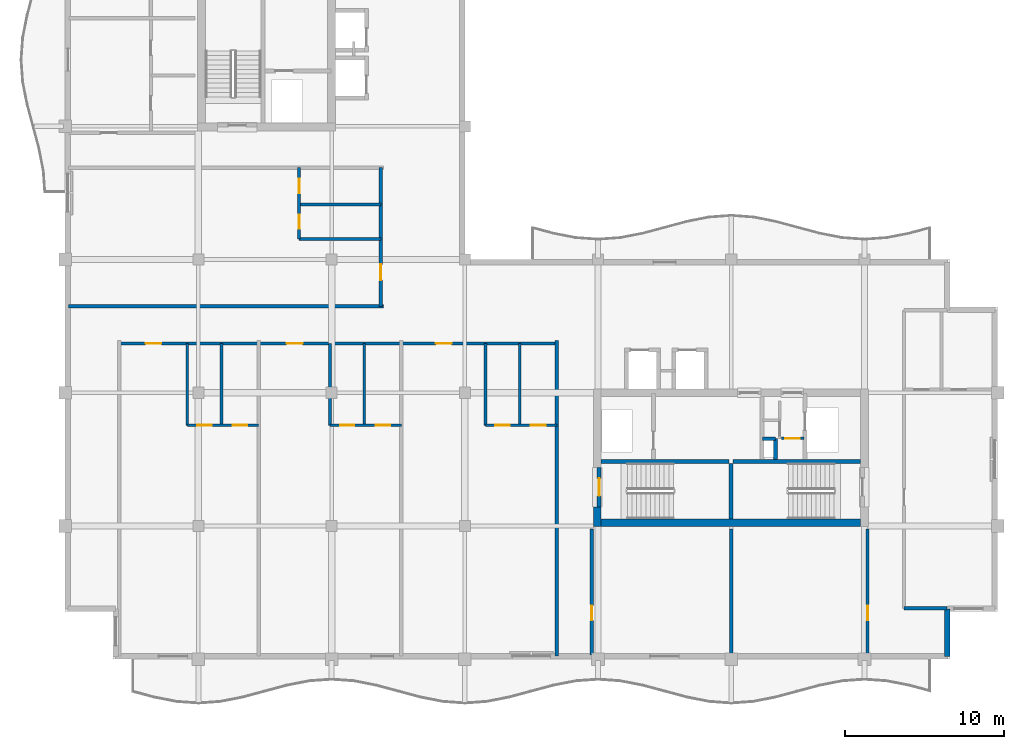
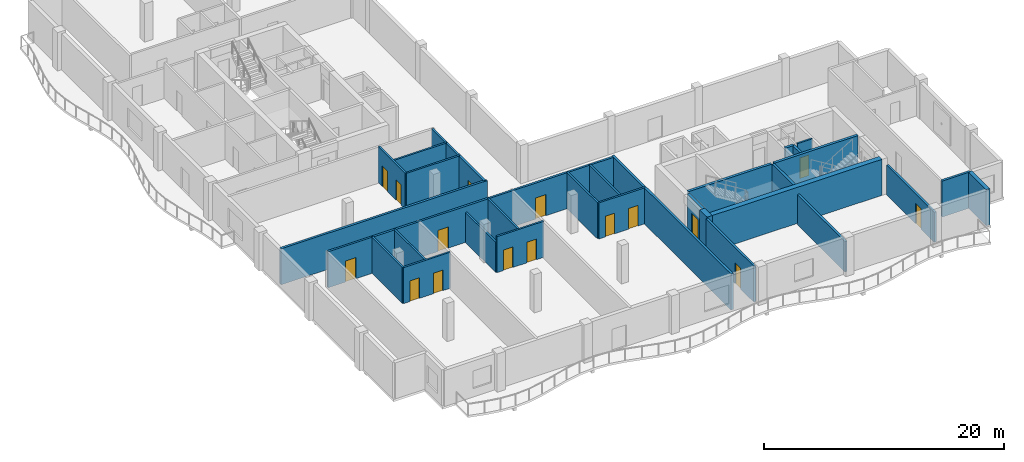
# One storey, part 6 of 15: 30 walls, 16 doors, 16 openings.
"""IFC4 building model written with IfcOpenShell, lengths in metres."""

from ifc_helpers import new_model, si_unit, direction, frame, frame_2d, origin, place, context, subcontext, project, spatial, rectangle, extrude, material, layer, layer_set, type_object, element, fill, save


model = new_model("IFC4")

# Units and contexts
model_context = context("Model", 3, precision=1e-05, world=origin(), true_north=direction((0.0, 1.0)))
body_context = subcontext(model_context, "Body", "Model", "MODEL_VIEW")
ifc_project = project(units=[si_unit("LENGTHUNIT", "METRE"), si_unit("AREAUNIT", "SQUARE_METRE"), si_unit("VOLUMEUNIT", "CUBIC_METRE"), si_unit("PLANEANGLEUNIT", "RADIAN"), si_unit("MASSUNIT", "GRAM", prefix="KILO")], contexts=[model_context])

# Site, building, storey
site_placement = place(None, origin())
site = spatial("IfcSite", under=ifc_project, at=site_placement, CompositionType="ELEMENT")
building_placement = place(site_placement, origin())
building = spatial("IfcBuilding", under=site, at=building_placement, Name="Koriwani Terraces Tower", CompositionType="ELEMENT")
storey_placement = place(building_placement, frame((0.0, 0.0, 300.800048828125)))
storey = spatial("IfcBuildingStorey", under=building, at=storey_placement, Name="L74", CompositionType="ELEMENT", Elevation=300.800048828125)

# Walls
ifc_material_1 = material(Name="Concrete C50/60", Category="concrete")
ifc_layer_1 = layer(ifc_material_1, 0.5, Name="Concrete C50/60")
ifc_layer_set_1 = layer_set([ifc_layer_1], Name="Concrete C50/60")
wall_type_1 = type_object("IfcWallType", Name="WALL_CORE_RC_500", PredefinedType="SHEAR", material=ifc_layer_set_1)
wall_1_placement = place(storey_placement, frame((41.949951171875, 16.75, 0.0), z_axis=(0.0, 0.0, 1.0), x_axis=(0.0, 1.0, 0.0)))
element("IfcWall", 1, at=wall_1_placement, inside=storey, type_object=wall_type_1, Name="L74 East Split Core Shear Wall W1", PredefinedType="SHEAR", context=body_context, shape_type="SweptSolid", body=[
    extrude(rectangle(XDim=1.25, YDim=0.5, at=frame_2d((0.625, 0.0))), origin(), (0.0, 0.0, 1.0), 3.669921875),
])
wall_2_placement = place(storey_placement, frame((42.199951171875, 17.0, 0.0), z_axis=(0.0, 0.0, 1.0), x_axis=(1.0, 0.0, 0.0)))
element("IfcWall", 2, at=wall_2_placement, inside=storey, type_object=wall_type_1, Name="L74 East Split Core Shear Wall S1", PredefinedType="SHEAR", context=body_context, shape_type="SweptSolid", body=[
    extrude(rectangle(XDim=16.35009765625, YDim=0.5, at=frame_2d((8.175048828125, 0.0))), origin(), (0.0, 0.0, 1.0), 3.669921875),
])

# Wall, opening, door
ifc_material_2 = material(Name="Autoclaved Cellular Concrete Blockwork", Category="masonry")
ifc_layer_2 = layer(ifc_material_2, 0.199951171875, Name="Autoclaved Cellular Concrete Blockwork")
ifc_layer_set_2 = layer_set([ifc_layer_2], Name="Autoclaved Cellular Concrete Blockwork")
wall_type_2 = type_object("IfcWallType", Name="WALL_CORRIDOR_200", PredefinedType="PARTITIONING", material=ifc_layer_set_2)
wall_3_placement = place(storey_placement, frame((41.60009765625, 8.64990234375, 0.0), z_axis=(0.0, 0.0, 1.0), x_axis=(0.0, 1.0, 0.0)))
wall_3 = element("IfcWall", 3, at=wall_3_placement, inside=storey, type_object=wall_type_2, Name="L74 Interior Wall WRZ4-EW-L74", PredefinedType="PARTITIONING", context=body_context, shape_type="SweptSolid", body=[
    extrude(rectangle(XDim=7.9501953125, YDim=0.199951171875, at=frame_2d((3.97509765625, 0.0))), origin(), (0.0, 0.0, 1.0), 3.669921875),
])
opening_1_placement = place(wall_3_placement, frame((2.199951171875, 0.0, 0.0)))
opening_1 = element("IfcOpeningElement", 4, at=opening_1_placement, cuts=wall_3, Name="Opening D-06", PredefinedType="OPENING", context=body_context, shape_type="SweptSolid", body=[
    extrude(rectangle(XDim=0.919921875, YDim=2.10009765625, at=frame_2d((0.4599609375, 1.050048828125))), frame((0.0, 0.10986328125, 0.0), z_axis=(0.0, -1.0, 0.0), x_axis=(1.0, 0.0, 0.0)), (0.0, 0.0, 1.0), 0.219970703125),
])
ifc_material_3 = material(Name="Architectural Oak Fire Door", Category="wood")
door_type_1 = type_object("IfcDoorType", Name="DOOR_ROOM_INT_920X2100", OperationType="NOTDEFINED", PredefinedType="DOOR", material=ifc_material_3)
door_1_placement = place(opening_1_placement, origin())
door_1 = element("IfcDoor", 5, at=door_1_placement, inside=storey, type_object=door_type_1, Name="L74 Resident Library Study Door", OperationType="SINGLE_SWING_RIGHT", OverallHeight=2.10009765625, OverallWidth=0.919921875, PredefinedType="DOOR", context=body_context, shape_type="SweptSolid", body=[
    extrude(rectangle(XDim=0.919921875, YDim=2.10009765625, at=frame_2d((0.4599609375, 1.050048828125))), frame((0.0, 0.02490234375, 0.0), z_axis=(0.0, -1.0, 0.0), x_axis=(1.0, 0.0, 0.0)), (0.0, 0.0, 1.0), 0.050048828125),
])
fill(opening_1, door_1)

wall_4_placement = place(storey_placement, frame((59.0, 8.64990234375, 0.0), z_axis=(0.0, 0.0, 1.0), x_axis=(0.0, 1.0, 0.0)))
wall_4 = element("IfcWall", 6, at=wall_4_placement, inside=storey, type_object=wall_type_2, Name="L74 Interior Wall WRZ4-EE-L74", PredefinedType="PARTITIONING", context=body_context, shape_type="SweptSolid", body=[
    extrude(rectangle(XDim=7.9501953125, YDim=0.199951171875, at=frame_2d((3.97509765625, 0.0))), origin(), (0.0, 0.0, 1.0), 3.058837890625),
])
opening_2_placement = place(wall_4_placement, frame((2.199951171875, 0.0, 0.0)))
opening_2 = element("IfcOpeningElement", 7, at=opening_2_placement, cuts=wall_4, Name="Opening D-06", PredefinedType="OPENING", context=body_context, shape_type="SweptSolid", body=[
    extrude(rectangle(XDim=0.919921875, YDim=2.10009765625, at=frame_2d((0.4599609375, 1.050048828125))), frame((0.0, 0.10986328125, 0.0), z_axis=(0.0, -1.0, 0.0), x_axis=(1.0, 0.0, 0.0)), (0.0, 0.0, 1.0), 0.219970703125),
])
door_2_placement = place(opening_2_placement, origin())
door_2 = element("IfcDoor", 8, at=door_2_placement, inside=storey, type_object=door_type_1, Name="L74 Resident Laundry Room Door", OperationType="SINGLE_SWING_LEFT", OverallHeight=2.10009765625, OverallWidth=0.919921875, PredefinedType="DOOR", context=body_context, shape_type="SweptSolid", body=[
    extrude(rectangle(XDim=0.919921875, YDim=2.10009765625, at=frame_2d((0.4599609375, 1.050048828125))), frame((0.0, 0.02490234375, 0.0), z_axis=(0.0, -1.0, 0.0), x_axis=(1.0, 0.0, 0.0)), (0.0, 0.0, 1.0), 0.050048828125),
])
fill(opening_2, door_2)

# Wall, openings, doors
wall_5_placement = place(storey_placement, frame((11.800048828125, 28.300048828125, 0.0), z_axis=(0.0, 0.0, 1.0), x_axis=(1.0, 0.0, 0.0)))
wall_5 = element("IfcWall", 9, at=wall_5_placement, inside=storey, type_object=wall_type_2, Name="L74 Interior Wall WRCOR-L74-SW-0", PredefinedType="PARTITIONING", context=body_context, shape_type="SweptSolid", body=[
    extrude(rectangle(XDim=27.599853515625, YDim=0.199951171875, at=frame_2d((13.7998046875, 0.0))), origin(), (0.0, 0.0, 1.0), 3.669921875),
])
opening_3_placement = place(wall_5_placement, frame((1.669921875, 0.0, 0.0)))
opening_3 = element("IfcOpeningElement", 10, at=opening_3_placement, cuts=wall_5, Name="Opening D-05", PredefinedType="OPENING", context=body_context, shape_type="SweptSolid", body=[
    extrude(rectangle(XDim=1.0, YDim=2.14990234375, at=frame_2d((0.5, 1.074951171875))), frame((0.0, 0.10986328125, 0.0), z_axis=(0.0, -1.0, 0.0), x_axis=(1.0, 0.0, 0.0)), (0.0, 0.0, 1.0), 0.219970703125),
])
opening_4_placement = place(wall_5_placement, frame((10.570068359375, 0.0, 0.0)))
opening_4 = element("IfcOpeningElement", 11, at=opening_4_placement, cuts=wall_5, Name="Opening D-05", PredefinedType="OPENING", context=body_context, shape_type="SweptSolid", body=[
    extrude(rectangle(XDim=1.0, YDim=2.14990234375, at=frame_2d((0.5, 1.074951171875))), frame((0.0, 0.10986328125, 0.0), z_axis=(0.0, -1.0, 0.0), x_axis=(1.0, 0.0, 0.0)), (0.0, 0.0, 1.0), 0.219970703125),
])
opening_5_placement = place(wall_5_placement, frame((19.969970703125, 0.0, 0.0)))
opening_5 = element("IfcOpeningElement", 12, at=opening_5_placement, cuts=wall_5, Name="Opening D-05", PredefinedType="OPENING", context=body_context, shape_type="SweptSolid", body=[
    extrude(rectangle(XDim=1.0, YDim=2.14990234375, at=frame_2d((0.5, 1.074951171875))), frame((0.0, 0.10986328125, 0.0), z_axis=(0.0, -1.0, 0.0), x_axis=(1.0, 0.0, 0.0)), (0.0, 0.0, 1.0), 0.219970703125),
])
door_type_2 = type_object("IfcDoorType", Name="DOOR_SUITE_ENTRY_1000X2150", OperationType="NOTDEFINED", PredefinedType="DOOR", material=ifc_material_3)
door_3_placement = place(opening_3_placement, origin())
door_3 = element("IfcDoor", 13, at=door_3_placement, inside=storey, type_object=door_type_2, Name="Apartment 74SW1 Entrance Door", OperationType="SINGLE_SWING_RIGHT", OverallHeight=2.14990234375, OverallWidth=1.0, PredefinedType="DOOR", context=body_context, shape_type="SweptSolid", body=[
    extrude(rectangle(XDim=1.0, YDim=2.14990234375, at=frame_2d((0.5, 1.074951171875))), frame((0.0, 0.02490234375, 0.0), z_axis=(0.0, -1.0, 0.0), x_axis=(1.0, 0.0, 0.0)), (0.0, 0.0, 1.0), 0.050048828125),
])
fill(opening_3, door_3)
door_4_placement = place(opening_4_placement, origin())
door_4 = element("IfcDoor", 14, at=door_4_placement, inside=storey, type_object=door_type_2, Name="Apartment 74SW2 Entrance Door", OperationType="SINGLE_SWING_LEFT", OverallHeight=2.14990234375, OverallWidth=1.0, PredefinedType="DOOR", context=body_context, shape_type="SweptSolid", body=[
    extrude(rectangle(XDim=1.0, YDim=2.14990234375, at=frame_2d((0.5, 1.074951171875))), frame((0.0, 0.02490234375, 0.0), z_axis=(0.0, -1.0, 0.0), x_axis=(1.0, 0.0, 0.0)), (0.0, 0.0, 1.0), 0.050048828125),
])
fill(opening_4, door_4)
door_5_placement = place(opening_5_placement, origin())
door_5 = element("IfcDoor", 15, at=door_5_placement, inside=storey, type_object=door_type_2, Name="Apartment 74SW3 Entrance Door", OperationType="SINGLE_SWING_RIGHT", OverallHeight=2.14990234375, OverallWidth=1.0, PredefinedType="DOOR", context=body_context, shape_type="SweptSolid", body=[
    extrude(rectangle(XDim=1.0, YDim=2.14990234375, at=frame_2d((0.5, 1.074951171875))), frame((0.0, 0.02490234375, 0.0), z_axis=(0.0, -1.0, 0.0), x_axis=(1.0, 0.0, 0.0)), (0.0, 0.0, 1.0), 0.050048828125),
])
fill(opening_5, door_5)

# Wall, opening, door
wall_6_placement = place(storey_placement, frame((28.300048828125, 30.64990234375, 0.0), z_axis=(0.0, 0.0, 1.0), x_axis=(0.0, 1.0, 0.0)))
wall_6 = element("IfcWall", 16, at=wall_6_placement, inside=storey, type_object=wall_type_2, Name="L74 Interior Wall WRCOR-L74-NE-0", PredefinedType="PARTITIONING", context=body_context, shape_type="SweptSolid", body=[
    extrude(rectangle(XDim=8.75, YDim=0.199951171875, at=frame_2d((4.375, 0.0))), origin(), (0.0, 0.0, 1.0), 3.669921875),
])
opening_6_placement = place(wall_6_placement, frame((1.64501953125, 0.0, 0.0)))
opening_6 = element("IfcOpeningElement", 17, at=opening_6_placement, cuts=wall_6, Name="Opening D-05", PredefinedType="OPENING", context=body_context, shape_type="SweptSolid", body=[
    extrude(rectangle(XDim=1.0, YDim=2.14990234375, at=frame_2d((0.5, 1.074951171875))), frame((0.0, 0.10986328125, 0.0), z_axis=(0.0, -1.0, 0.0), x_axis=(1.0, 0.0, 0.0)), (0.0, 0.0, 1.0), 0.219970703125),
])
door_6_placement = place(opening_6_placement, origin())
door_6 = element("IfcDoor", 18, at=door_6_placement, inside=storey, type_object=door_type_2, Name="Apartment 74NE1 Entrance Door", OperationType="SINGLE_SWING_LEFT", OverallHeight=2.14990234375, OverallWidth=1.0, PredefinedType="DOOR", context=body_context, shape_type="SweptSolid", body=[
    extrude(rectangle(XDim=1.0, YDim=2.14990234375, at=frame_2d((0.5, 1.074951171875))), frame((0.0, 0.02490234375, 0.0), z_axis=(0.0, -1.0, 0.0), x_axis=(1.0, 0.0, 0.0)), (0.0, 0.0, 1.0), 0.050048828125),
])
fill(opening_6, door_6)

# Walls
ifc_layer_3 = layer(ifc_material_2, 0.219970703125, Name="Autoclaved Cellular Concrete Blockwork")
ifc_layer_set_3 = layer_set([ifc_layer_3], Name="Autoclaved Cellular Concrete Blockwork")
wall_type_3 = type_object("IfcWallType", Name="WALL_DEMISING_220", PredefinedType="PARTITIONING", material=ifc_layer_set_3)
wall_7_placement = place(storey_placement, frame((50.39990234375, 8.64990234375, 0.0), z_axis=(0.0, 0.0, 1.0), x_axis=(0.0, 1.0, 0.0)))
element("IfcWall", 19, at=wall_7_placement, inside=storey, type_object=wall_type_3, Name="L74 Interior Wall WRZ4-EM-L74", PredefinedType="PARTITIONING", context=body_context, shape_type="SweptSolid", body=[
    extrude(rectangle(XDim=7.9501953125, YDim=0.219970703125, at=frame_2d((3.97509765625, 0.0))), origin(), (0.0, 0.0, 1.0), 3.070068359375),
])
for number, where, z_axis, x_axis, name in (
    (20, (39.39990234375, 8.60009765625, 0.0), (0.0, 0.0, 1.0), (0.0, 1.0, 0.0), "L74 Interior Wall WRDEME-L74-SW"),
    (21, (8.60009765625, 30.64990234375, 0.0), (0.0, 0.0, 1.0), (1.0, 0.0, 0.0), "L74 Interior Wall WRDEM-L74-NE-0"),
):
    element("IfcWall", number, at=place(storey_placement, frame(where, z_axis=z_axis, x_axis=x_axis)), inside=storey, type_object=wall_type_3, Name=name, PredefinedType="PARTITIONING", context=body_context, shape_type="SweptSolid", body=[
        extrude(rectangle(XDim=19.8798828125, YDim=0.219970703125, at=frame_2d((9.93994140625, 0.0))), origin(), (0.0, 0.0, 1.0), 3.669921875),
    ])
wall_8_placement = place(storey_placement, frame((61.300048828125, 11.60009765625, 0.0), z_axis=(0.0, 0.0, 1.0), x_axis=(1.0, 0.0, 0.0)))
element("IfcWall", 22, at=wall_8_placement, inside=storey, type_object=wall_type_3, Name="L74 Interior Wall WET-S-L74", PredefinedType="PARTITIONING", context=body_context, shape_type="SweptSolid", body=[
    extrude(rectangle(XDim=2.699951171875, YDim=0.219970703125, at=frame_2d((1.35009765625, 0.0))), origin(), (0.0, 0.0, 1.0), 3.669921875),
])
ifc_layer_4 = layer(ifc_material_1, 0.35009765625, Name="Concrete C50/60")
ifc_layer_set_4 = layer_set([ifc_layer_4], Name="Concrete C50/60")
wall_type_4 = type_object("IfcWallType", Name="WALL_EXT_BRUTALIST_350", PredefinedType="STANDARD", material=ifc_layer_set_4)
wall_9_placement = place(storey_placement, frame((64.02490234375, 11.574951171875, 0.0), z_axis=(0.0, 0.0, 1.0), x_axis=(0.0, -1.0, 0.0)))
element("IfcWall", 23, at=wall_9_placement, inside=storey, type_object=wall_type_4, Name="L74 Fair-Faced Brutalist Exterior Wall (N14)", PredefinedType="STANDARD", context=body_context, shape_type="SweptSolid", body=[
    extrude(rectangle(XDim=3.0, YDim=0.35009765625, at=frame_2d((1.5, 0.0))), origin(), (0.0, 0.0, 1.0), 3.669921875),
])

# Wall, openings, doors
ifc_material_4 = material(Name="Fire-Rated Acoustic Gypsum Partition", Category="masonry")
ifc_layer_5 = layer(ifc_material_4, 0.179931640625, Name="Fire-Rated Acoustic Gypsum Partition")
ifc_layer_set_5 = layer_set([ifc_layer_5], Name="Fire-Rated Acoustic Gypsum Partition")
wall_type_5 = type_object("IfcWallType", Name="WALL_PLUMBING_180", PredefinedType="PLUMBINGWALL", material=ifc_layer_set_5)
wall_10_placement = place(storey_placement, frame((16.10009765625, 23.14990234375, 0.0), z_axis=(0.0, 0.0, 1.0), x_axis=(1.0, 0.0, 0.0)))
wall_10 = element("IfcWall", 24, at=wall_10_placement, inside=storey, type_object=wall_type_5, Name="L74 Interior Wall WRSVC-L74-SW-0", PredefinedType="PLUMBINGWALL", context=body_context, shape_type="SweptSolid", body=[
    extrude(rectangle(XDim=4.5, YDim=0.179931640625, at=frame_2d((2.25, 0.0))), origin(), (0.0, 0.0, 1.0), 3.669921875),
])
opening_7_placement = place(wall_10_placement, frame((0.6298828125, 0.0, 0.0)))
opening_7 = element("IfcOpeningElement", 25, at=opening_7_placement, cuts=wall_10, Name="Opening D-07", PredefinedType="OPENING", context=body_context, shape_type="SweptSolid", body=[
    extrude(rectangle(XDim=0.89990234375, YDim=2.10009765625, at=frame_2d((0.449951171875, 1.050048828125))), frame((0.0, 0.10009765625, 0.0), z_axis=(0.0, -1.0, 0.0), x_axis=(1.0, 0.0, 0.0)), (0.0, 0.0, 1.0), 0.199951171875),
])
opening_8_placement = place(wall_10_placement, frame((2.8701171875, 0.0, 0.0)))
opening_8 = element("IfcOpeningElement", 26, at=opening_8_placement, cuts=wall_10, Name="Opening D-06", PredefinedType="OPENING", context=body_context, shape_type="SweptSolid", body=[
    extrude(rectangle(XDim=0.919921875, YDim=2.10009765625, at=frame_2d((0.4599609375, 1.050048828125))), frame((0.0, 0.10009765625, 0.0), z_axis=(0.0, -1.0, 0.0), x_axis=(1.0, 0.0, 0.0)), (0.0, 0.0, 1.0), 0.199951171875),
])
door_type_3 = type_object("IfcDoorType", Name="DOOR_BATH_INT_900X2100", OperationType="NOTDEFINED", PredefinedType="DOOR", material=ifc_material_3)
door_7_placement = place(opening_7_placement, origin())
door_7 = element("IfcDoor", 27, at=door_7_placement, inside=storey, type_object=door_type_3, Name="Apartment 74SW1 Bathroom Door", OperationType="SINGLE_SWING_LEFT", OverallHeight=2.10009765625, OverallWidth=0.89990234375, PredefinedType="DOOR", context=body_context, shape_type="SweptSolid", body=[
    extrude(rectangle(XDim=0.89990234375, YDim=2.10009765625, at=frame_2d((0.449951171875, 1.050048828125))), frame((0.0, 0.02490234375, 0.0), z_axis=(0.0, -1.0, 0.0), x_axis=(1.0, 0.0, 0.0)), (0.0, 0.0, 1.0), 0.050048828125),
])
fill(opening_7, door_7)
door_8_placement = place(opening_8_placement, origin())
door_8 = element("IfcDoor", 28, at=door_8_placement, inside=storey, type_object=door_type_1, Name="Apartment 74SW1 Kitchen Door", OperationType="SINGLE_SWING_RIGHT", OverallHeight=2.10009765625, OverallWidth=0.919921875, PredefinedType="DOOR", context=body_context, shape_type="SweptSolid", body=[
    extrude(rectangle(XDim=0.919921875, YDim=2.10009765625, at=frame_2d((0.4599609375, 1.050048828125))), frame((0.0, 0.02490234375, 0.0), z_axis=(0.0, -1.0, 0.0), x_axis=(1.0, 0.0, 0.0)), (0.0, 0.0, 1.0), 0.050048828125),
])
fill(opening_8, door_8)

# Walls
for number, where, z_axis, x_axis, name in (
    (29, (16.10009765625, 23.14990234375, 0.0), (0.0, 0.0, 1.0), (0.0, 1.0, 0.0), "L74 Interior Wall WRSVCS-L74-SW-0"),
    (30, (18.260009765625, 23.14990234375, 0.0), (0.0, 0.0, 1.0), (0.0, 1.0, 0.0), "L74 Interior Wall WRSVCM-L74-SW-0"),
):
    element("IfcWall", number, at=place(storey_placement, frame(where, z_axis=z_axis, x_axis=x_axis)), inside=storey, type_object=wall_type_5, Name=name, PredefinedType="PLUMBINGWALL", context=body_context, shape_type="SweptSolid", body=[
        extrude(rectangle(XDim=5.150146484375, YDim=0.179931640625, at=frame_2d((2.5751953125, 0.0))), origin(), (0.0, 0.0, 1.0), 3.669921875),
    ])

# Wall, openings, doors
wall_11_placement = place(storey_placement, frame((25.10009765625, 23.14990234375, 0.0), z_axis=(0.0, 0.0, 1.0), x_axis=(1.0, 0.0, 0.0)))
wall_11 = element("IfcWall", 31, at=wall_11_placement, inside=storey, type_object=wall_type_5, Name="L74 Interior Wall WRSVC-L74-SW-1", PredefinedType="PLUMBINGWALL", context=body_context, shape_type="SweptSolid", body=[
    extrude(rectangle(XDim=4.5, YDim=0.179931640625, at=frame_2d((2.25, 0.0))), origin(), (0.0, 0.0, 1.0), 3.669921875),
])
opening_9_placement = place(wall_11_placement, frame((0.6298828125, 0.0, 0.0)))
opening_9 = element("IfcOpeningElement", 32, at=opening_9_placement, cuts=wall_11, Name="Opening D-07", PredefinedType="OPENING", context=body_context, shape_type="SweptSolid", body=[
    extrude(rectangle(XDim=0.89990234375, YDim=2.10009765625, at=frame_2d((0.449951171875, 1.050048828125))), frame((0.0, 0.10009765625, 0.0), z_axis=(0.0, -1.0, 0.0), x_axis=(1.0, 0.0, 0.0)), (0.0, 0.0, 1.0), 0.199951171875),
])
opening_10_placement = place(wall_11_placement, frame((2.8701171875, 0.0, 0.0)))
opening_10 = element("IfcOpeningElement", 33, at=opening_10_placement, cuts=wall_11, Name="Opening D-06", PredefinedType="OPENING", context=body_context, shape_type="SweptSolid", body=[
    extrude(rectangle(XDim=0.919921875, YDim=2.10009765625, at=frame_2d((0.4599609375, 1.050048828125))), frame((0.0, 0.10009765625, 0.0), z_axis=(0.0, -1.0, 0.0), x_axis=(1.0, 0.0, 0.0)), (0.0, 0.0, 1.0), 0.199951171875),
])
door_9_placement = place(opening_9_placement, origin())
door_9 = element("IfcDoor", 34, at=door_9_placement, inside=storey, type_object=door_type_3, Name="Apartment 74SW2 Bathroom Door", OperationType="SINGLE_SWING_RIGHT", OverallHeight=2.10009765625, OverallWidth=0.89990234375, PredefinedType="DOOR", context=body_context, shape_type="SweptSolid", body=[
    extrude(rectangle(XDim=0.89990234375, YDim=2.10009765625, at=frame_2d((0.449951171875, 1.050048828125))), frame((0.0, 0.02490234375, 0.0), z_axis=(0.0, -1.0, 0.0), x_axis=(1.0, 0.0, 0.0)), (0.0, 0.0, 1.0), 0.050048828125),
])
fill(opening_9, door_9)
door_10_placement = place(opening_10_placement, origin())
door_10 = element("IfcDoor", 35, at=door_10_placement, inside=storey, type_object=door_type_1, Name="Apartment 74SW2 Kitchen Door", OperationType="SINGLE_SWING_LEFT", OverallHeight=2.10009765625, OverallWidth=0.919921875, PredefinedType="DOOR", context=body_context, shape_type="SweptSolid", body=[
    extrude(rectangle(XDim=0.919921875, YDim=2.10009765625, at=frame_2d((0.4599609375, 1.050048828125))), frame((0.0, 0.02490234375, 0.0), z_axis=(0.0, -1.0, 0.0), x_axis=(1.0, 0.0, 0.0)), (0.0, 0.0, 1.0), 0.050048828125),
])
fill(opening_10, door_10)

# Walls
wall_12_placement = place(storey_placement, frame((25.10009765625, 23.14990234375, 0.0), z_axis=(0.0, 0.0, 1.0), x_axis=(0.0, 1.0, 0.0)))
element("IfcWall", 36, at=wall_12_placement, inside=storey, type_object=wall_type_5, Name="L74 Interior Wall WRSVCS-L74-SW-1", PredefinedType="PLUMBINGWALL", context=body_context, shape_type="SweptSolid", body=[
    extrude(rectangle(XDim=5.150146484375, YDim=0.179931640625, at=frame_2d((2.5751953125, 0.0))), origin(), (0.0, 0.0, 1.0), 3.058837890625),
])
wall_13_placement = place(storey_placement, frame((27.260009765625, 23.14990234375, 0.0), z_axis=(0.0, 0.0, 1.0), x_axis=(0.0, 1.0, 0.0)))
element("IfcWall", 37, at=wall_13_placement, inside=storey, type_object=wall_type_5, Name="L74 Interior Wall WRSVCM-L74-SW-1", PredefinedType="PLUMBINGWALL", context=body_context, shape_type="SweptSolid", body=[
    extrude(rectangle(XDim=5.150146484375, YDim=0.179931640625, at=frame_2d((2.5751953125, 0.0))), origin(), (0.0, 0.0, 1.0), 3.669921875),
])

# Wall, openings, doors
wall_14_placement = place(storey_placement, frame((34.89990234375, 23.14990234375, 0.0), z_axis=(0.0, 0.0, 1.0), x_axis=(1.0, 0.0, 0.0)))
wall_14 = element("IfcWall", 38, at=wall_14_placement, inside=storey, type_object=wall_type_5, Name="L74 Interior Wall WRSVC-L74-SW-2", PredefinedType="PLUMBINGWALL", context=body_context, shape_type="SweptSolid", body=[
    extrude(rectangle(XDim=4.5, YDim=0.179931640625, at=frame_2d((2.25, 0.0))), origin(), (0.0, 0.0, 1.0), 3.669921875),
])
opening_11_placement = place(wall_14_placement, frame((0.6298828125, 0.0, 0.0)))
opening_11 = element("IfcOpeningElement", 39, at=opening_11_placement, cuts=wall_14, Name="Opening D-07", PredefinedType="OPENING", context=body_context, shape_type="SweptSolid", body=[
    extrude(rectangle(XDim=0.89990234375, YDim=2.10009765625, at=frame_2d((0.449951171875, 1.050048828125))), frame((0.0, 0.10009765625, 0.0), z_axis=(0.0, -1.0, 0.0), x_axis=(1.0, 0.0, 0.0)), (0.0, 0.0, 1.0), 0.199951171875),
])
opening_12_placement = place(wall_14_placement, frame((2.8701171875, 0.0, 0.0)))
opening_12 = element("IfcOpeningElement", 40, at=opening_12_placement, cuts=wall_14, Name="Opening D-06", PredefinedType="OPENING", context=body_context, shape_type="SweptSolid", body=[
    extrude(rectangle(XDim=0.919921875, YDim=2.10009765625, at=frame_2d((0.4599609375, 1.050048828125))), frame((0.0, 0.10009765625, 0.0), z_axis=(0.0, -1.0, 0.0), x_axis=(1.0, 0.0, 0.0)), (0.0, 0.0, 1.0), 0.199951171875),
])
door_11_placement = place(opening_11_placement, origin())
door_11 = element("IfcDoor", 41, at=door_11_placement, inside=storey, type_object=door_type_3, Name="Apartment 74SW3 Bathroom Door", OperationType="SINGLE_SWING_LEFT", OverallHeight=2.10009765625, OverallWidth=0.89990234375, PredefinedType="DOOR", context=body_context, shape_type="SweptSolid", body=[
    extrude(rectangle(XDim=0.89990234375, YDim=2.10009765625, at=frame_2d((0.449951171875, 1.050048828125))), frame((0.0, 0.02490234375, 0.0), z_axis=(0.0, -1.0, 0.0), x_axis=(1.0, 0.0, 0.0)), (0.0, 0.0, 1.0), 0.050048828125),
])
fill(opening_11, door_11)
door_12_placement = place(opening_12_placement, origin())
door_12 = element("IfcDoor", 42, at=door_12_placement, inside=storey, type_object=door_type_1, Name="Apartment 74SW3 Kitchen Door", OperationType="SINGLE_SWING_RIGHT", OverallHeight=2.10009765625, OverallWidth=0.919921875, PredefinedType="DOOR", context=body_context, shape_type="SweptSolid", body=[
    extrude(rectangle(XDim=0.919921875, YDim=2.10009765625, at=frame_2d((0.4599609375, 1.050048828125))), frame((0.0, 0.02490234375, 0.0), z_axis=(0.0, -1.0, 0.0), x_axis=(1.0, 0.0, 0.0)), (0.0, 0.0, 1.0), 0.050048828125),
])
fill(opening_12, door_12)

# Walls
for number, where, z_axis, x_axis, name in (
    (43, (34.89990234375, 23.14990234375, 0.0), (0.0, 0.0, 1.0), (0.0, 1.0, 0.0), "L74 Interior Wall WRSVCS-L74-SW-2"),
    (44, (37.06005859375, 23.14990234375, 0.0), (0.0, 0.0, 1.0), (0.0, 1.0, 0.0), "L74 Interior Wall WRSVCM-L74-SW-2"),
):
    element("IfcWall", number, at=place(storey_placement, frame(where, z_axis=z_axis, x_axis=x_axis)), inside=storey, type_object=wall_type_5, Name=name, PredefinedType="PLUMBINGWALL", context=body_context, shape_type="SweptSolid", body=[
        extrude(rectangle(XDim=5.150146484375, YDim=0.179931640625, at=frame_2d((2.5751953125, 0.0))), origin(), (0.0, 0.0, 1.0), 3.669921875),
    ])

# Wall, openings, doors
wall_15_placement = place(storey_placement, frame((23.14990234375, 34.89990234375, 0.0), z_axis=(0.0, 0.0, 1.0), x_axis=(0.0, 1.0, 0.0)))
wall_15 = element("IfcWall", 45, at=wall_15_placement, inside=storey, type_object=wall_type_5, Name="L74 Interior Wall WRSVC-L74-NE-0", PredefinedType="PLUMBINGWALL", context=body_context, shape_type="SweptSolid", body=[
    extrude(rectangle(XDim=4.5, YDim=0.179931640625, at=frame_2d((2.25, 0.0))), origin(), (0.0, 0.0, 1.0), 3.669921875),
])
opening_13_placement = place(wall_15_placement, frame((0.6298828125, 0.0, 0.0)))
opening_13 = element("IfcOpeningElement", 46, at=opening_13_placement, cuts=wall_15, Name="Opening D-07", PredefinedType="OPENING", context=body_context, shape_type="SweptSolid", body=[
    extrude(rectangle(XDim=0.89990234375, YDim=2.10009765625, at=frame_2d((0.449951171875, 1.050048828125))), frame((0.0, 0.10009765625, 0.0), z_axis=(0.0, -1.0, 0.0), x_axis=(1.0, 0.0, 0.0)), (0.0, 0.0, 1.0), 0.199951171875),
])
opening_14_placement = place(wall_15_placement, frame((2.8701171875, 0.0, 0.0)))
opening_14 = element("IfcOpeningElement", 47, at=opening_14_placement, cuts=wall_15, Name="Opening D-06", PredefinedType="OPENING", context=body_context, shape_type="SweptSolid", body=[
    extrude(rectangle(XDim=0.919921875, YDim=2.10009765625, at=frame_2d((0.4599609375, 1.050048828125))), frame((0.0, 0.10009765625, 0.0), z_axis=(0.0, -1.0, 0.0), x_axis=(1.0, 0.0, 0.0)), (0.0, 0.0, 1.0), 0.199951171875),
])
door_13_placement = place(opening_13_placement, origin())
door_13 = element("IfcDoor", 48, at=door_13_placement, inside=storey, type_object=door_type_3, Name="Apartment 74NE1 Bathroom Door", OperationType="SINGLE_SWING_RIGHT", OverallHeight=2.10009765625, OverallWidth=0.89990234375, PredefinedType="DOOR", context=body_context, shape_type="SweptSolid", body=[
    extrude(rectangle(XDim=0.89990234375, YDim=2.10009765625, at=frame_2d((0.449951171875, 1.050048828125))), frame((0.0, 0.02490234375, 0.0), z_axis=(0.0, -1.0, 0.0), x_axis=(1.0, 0.0, 0.0)), (0.0, 0.0, 1.0), 0.050048828125),
])
fill(opening_13, door_13)
door_14_placement = place(opening_14_placement, origin())
door_14 = element("IfcDoor", 49, at=door_14_placement, inside=storey, type_object=door_type_1, Name="Apartment 74NE1 Kitchen Door", OperationType="SINGLE_SWING_LEFT", OverallHeight=2.10009765625, OverallWidth=0.919921875, PredefinedType="DOOR", context=body_context, shape_type="SweptSolid", body=[
    extrude(rectangle(XDim=0.919921875, YDim=2.10009765625, at=frame_2d((0.4599609375, 1.050048828125))), frame((0.0, 0.02490234375, 0.0), z_axis=(0.0, -1.0, 0.0), x_axis=(1.0, 0.0, 0.0)), (0.0, 0.0, 1.0), 0.050048828125),
])
fill(opening_14, door_14)

# Walls
for number, where, z_axis, x_axis, name in (
    (50, (23.14990234375, 34.89990234375, 0.0), (0.0, 0.0, 1.0), (1.0, 0.0, 0.0), "L74 Interior Wall WRSVCS-L74-NE-0"),
    (51, (23.14990234375, 37.06005859375, 0.0), (0.0, 0.0, 1.0), (1.0, 0.0, 0.0), "L74 Interior Wall WRSVCM-L74-NE-0"),
):
    element("IfcWall", number, at=place(storey_placement, frame(where, z_axis=z_axis, x_axis=x_axis)), inside=storey, type_object=wall_type_5, Name=name, PredefinedType="PLUMBINGWALL", context=body_context, shape_type="SweptSolid", body=[
        extrude(rectangle(XDim=5.150146484375, YDim=0.179931640625, at=frame_2d((2.5751953125, 0.0))), origin(), (0.0, 0.0, 1.0), 3.669921875),
    ])
ifc_material_5 = material(Name="Concrete C40/50", Category="concrete")
ifc_layer_6 = layer(ifc_material_5, 0.25, Name="Concrete C40/50")
ifc_layer_set_6 = layer_set([ifc_layer_6], Name="Concrete C40/50")
wall_type_6 = type_object("IfcWallType", Name="WALL_SHAFT_RATED_250", PredefinedType="SOLIDWALL", material=ifc_layer_set_6)
for number, where, z_axis, x_axis, name in (
    (52, (42.199951171875, 20.875, 0.0), (0.0, 0.0, 1.0), (1.0, 0.0, 0.0), "L74 East Split Core Web Wall MID1"),
    (53, (50.5, 20.875, 0.0), (0.0, 0.0, 1.0), (1.0, 0.0, 0.0), "L74 East Split Core Web Wall MID2"),
):
    element("IfcWall", number, at=place(storey_placement, frame(where, z_axis=z_axis, x_axis=x_axis)), inside=storey, type_object=wall_type_6, Name=name, PredefinedType="SOLIDWALL", context=body_context, shape_type="SweptSolid", body=[
        extrude(rectangle(XDim=8.050048828125, YDim=0.25, at=frame_2d((4.02490234375, 0.0))), origin(), (0.0, 0.0, 1.0), 3.669921875),
    ])
wall_16_placement = place(storey_placement, frame((50.375, 17.25, 0.0), z_axis=(0.0, 0.0, 1.0), x_axis=(0.0, 1.0, 0.0)))
element("IfcWall", 54, at=wall_16_placement, inside=storey, type_object=wall_type_6, Name="L74 East Split Core Stair Dividing Wall", PredefinedType="SOLIDWALL", context=body_context, shape_type="SweptSolid", body=[
    extrude(rectangle(XDim=3.5, YDim=0.25, at=frame_2d((1.75, 0.0))), origin(), (0.0, 0.0, 1.0), 3.669921875),
])

# Wall, opening, door
wall_17_placement = place(storey_placement, frame((42.074951171875, 18.0, 0.0), z_axis=(0.0, 0.0, 1.0), x_axis=(0.0, 1.0, 0.0)))
wall_17 = element("IfcWall", 55, at=wall_17_placement, inside=storey, type_object=wall_type_6, Name="L74 Interior Wall WIN-CE-L74-STW", PredefinedType="SOLIDWALL", context=body_context, shape_type="SweptSolid", body=[
    extrude(rectangle(XDim=2.5, YDim=0.25, at=frame_2d((1.25, 0.0))), origin(), (0.0, 0.0, 1.0), 3.669921875),
])
opening_15_placement = place(wall_17_placement, frame((0.699951171875, 0.0, 0.0)))
opening_15 = element("IfcOpeningElement", 56, at=opening_15_placement, cuts=wall_17, Name="Opening D-03", PredefinedType="OPENING", context=body_context, shape_type="SweptSolid", body=[
    extrude(rectangle(XDim=1.10009765625, YDim=2.14990234375, at=frame_2d((0.550048828125, 1.074951171875))), frame((0.0, 0.135009765625, 0.0), z_axis=(0.0, -1.0, 0.0), x_axis=(1.0, 0.0, 0.0)), (0.0, 0.0, 1.0), 0.27001953125),
])
ifc_material_6 = material(Name="Steel ASTM A572 Grade 50", Category="steel")
door_type_4 = type_object("IfcDoorType", Name="DOOR_STAIR_FIRE_1100X2150", OperationType="NOTDEFINED", PredefinedType="DOOR", material=ifc_material_6)
door_15_placement = place(opening_15_placement, origin())
door_15 = element("IfcDoor", 57, at=door_15_placement, inside=storey, type_object=door_type_4, Name="L74 Exit Stair ST-E1 Door", OperationType="SINGLE_SWING_LEFT", OverallHeight=2.14990234375, OverallWidth=1.10009765625, PredefinedType="DOOR", context=body_context, shape_type="SweptSolid", body=[
    extrude(rectangle(XDim=1.10009765625, YDim=2.14990234375, at=frame_2d((0.550048828125, 1.074951171875))), frame((0.0, 0.02490234375, 0.0), z_axis=(0.0, -1.0, 0.0), x_axis=(1.0, 0.0, 0.0)), (0.0, 0.0, 1.0), 0.050048828125),
])
fill(opening_15, door_15)

# Walls
wall_18_placement = place(storey_placement, frame((53.199951171875, 21.0, 0.0), z_axis=(0.0, 0.0, 1.0), x_axis=(0.0, 1.0, 0.0)))
element("IfcWall", 58, at=wall_18_placement, inside=storey, type_object=wall_type_6, Name="L74 Interior Wall WIN-CE-L74-RS1", PredefinedType="SOLIDWALL", context=body_context, shape_type="SweptSolid", body=[
    extrude(rectangle(XDim=1.300048828125, YDim=0.25, at=frame_2d((0.64990234375, 0.0))), origin(), (0.0, 0.0, 1.0), 3.669921875),
])
wall_19_placement = place(storey_placement, frame((52.360107421875, 22.300048828125, 0.0), z_axis=(0.0, 0.0, 1.0), x_axis=(1.0, 0.0, 0.0)))
element("IfcWall", 59, at=wall_19_placement, inside=storey, type_object=wall_type_6, Name="L74 Interior Wall WIN-CE-L74-RS2", PredefinedType="SOLIDWALL", context=body_context, shape_type="SweptSolid", body=[
    extrude(rectangle(XDim=0.83984375, YDim=0.25, at=frame_2d((0.419921875, 0.0))), origin(), (0.0, 0.0, 1.0), 3.669921875),
])

# Wall, opening, door
ifc_layer_7 = layer(ifc_material_4, 0.159912109375, Name="Fire-Rated Acoustic Gypsum Partition")
ifc_layer_set_7 = layer_set([ifc_layer_7], Name="Fire-Rated Acoustic Gypsum Partition")
wall_type_7 = type_object("IfcWallType", Name="WALL_SUITE_160", PredefinedType="PARTITIONING", material=ifc_layer_set_7)
wall_20_placement = place(storey_placement, frame((53.56005859375, 22.320068359375, 0.0), z_axis=(0.0, 0.0, 1.0), x_axis=(1.0, 0.0, 0.0)))
wall_20 = element("IfcWall", 60, at=wall_20_placement, inside=storey, type_object=wall_type_7, Name="L74 Interior Wall WIN-CE-L74-SV2A", PredefinedType="PARTITIONING", context=body_context, shape_type="SweptSolid", body=[
    extrude(rectangle(XDim=1.43994140625, YDim=0.159912109375, at=frame_2d((0.719970703125, 0.0))), origin(), (0.0, 0.0, 1.0), 3.669921875),
])
opening_16_placement = place(wall_20_placement, frame((0.260009765625, 0.0, 0.0)))
opening_16 = element("IfcOpeningElement", 61, at=opening_16_placement, cuts=wall_20, Name="Opening D-07", PredefinedType="OPENING", context=body_context, shape_type="SweptSolid", body=[
    extrude(rectangle(XDim=0.89990234375, YDim=2.10009765625, at=frame_2d((0.449951171875, 1.050048828125))), frame((0.0, 0.08984375, 0.0), z_axis=(0.0, -1.0, 0.0), x_axis=(1.0, 0.0, 0.0)), (0.0, 0.0, 1.0), 0.179931640625),
])
door_16_placement = place(opening_16_placement, origin())
door_16 = element("IfcDoor", 62, at=door_16_placement, inside=storey, type_object=door_type_3, Name="L74 East Meter Room Door", OperationType="SINGLE_SWING_LEFT", OverallHeight=2.10009765625, OverallWidth=0.89990234375, PredefinedType="DOOR", context=body_context, shape_type="SweptSolid", body=[
    extrude(rectangle(XDim=0.89990234375, YDim=2.10009765625, at=frame_2d((0.449951171875, 1.050048828125))), frame((0.0, 0.02490234375, 0.0), z_axis=(0.0, -1.0, 0.0), x_axis=(1.0, 0.0, 0.0)), (0.0, 0.0, 1.0), 0.050048828125),
])
fill(opening_16, door_16)

save(model, "model.ifc")
